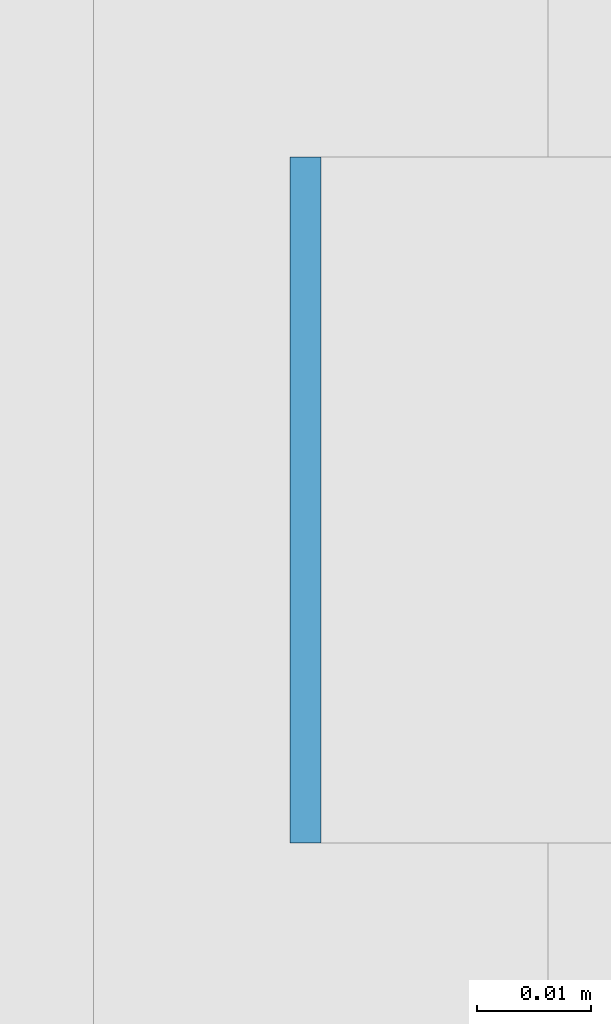
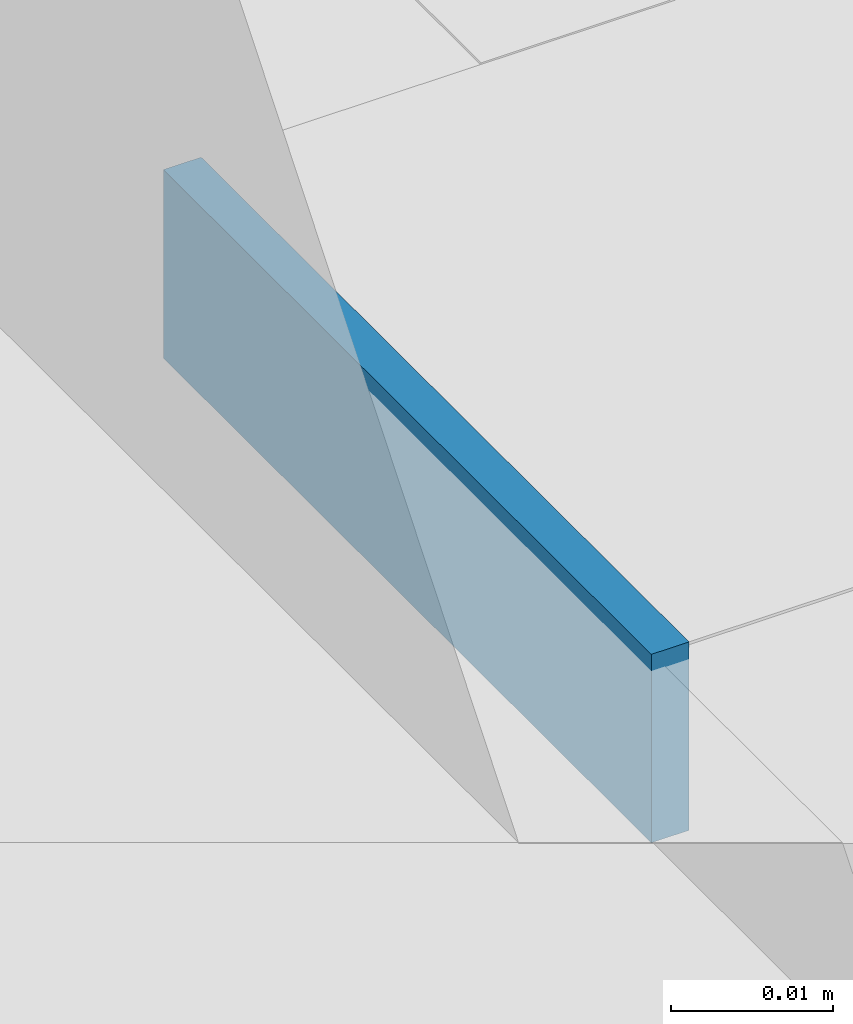
# One storey, part 471 of 646: 1 discrete accessory.
"""IFC4 building model written with IfcOpenShell, lengths in metres."""

import ifcopenshell
import ifcopenshell.guid

model = None  # the IFC model being written
_history = None  # IfcOwnerHistory: only IFC2X3 demands one
_inside = {}  # id of a spatial element -> (the spatial element, [elements in it])
_under = {}  # id of a project, library or spatial element -> (it, [spatial elements below it])
_declared = {}  # id of a project -> (the project, [libraries it declares])
_typed = {}  # id of a type object -> (the type object, [elements of that type])
_made_of = {}  # id of a material, layer set ... -> (it, [elements and type objects made of it])


def new_model(schema):
    """Start an empty IFC model of exactly this schema.

    Asked for "IFC4X3", IfcOpenShell would pick the latest addendum, in which some entities
    have other attributes; the version numbers below select the first issue.
    IFC2X3 requires an IfcOwnerHistory on every rooted entity: one is made here for all.
    """
    global model, _history
    if schema == "IFC4X3":
        model = ifcopenshell.file(schema_version=(4, 3, 0, 0))
    else:
        model = ifcopenshell.file(schema=schema)
    _inside.clear()
    _under.clear()
    _declared.clear()
    _typed.clear()
    _made_of.clear()
    _history = None
    if model.schema == "IFC2X3":
        org = make("IfcOrganization", Name="unknown")
        user = make(
            "IfcPersonAndOrganization",
            ThePerson=make("IfcPerson", FamilyName="unknown"),
            TheOrganization=org,
        )
        app = make(
            "IfcApplication",
            ApplicationDeveloper=org,
            Version="unknown",
            ApplicationFullName="unknown",
            ApplicationIdentifier="unknown",
        )
        _history = make(
            "IfcOwnerHistory",
            OwningUser=user,
            OwningApplication=app,
            ChangeAction="ADDED",
            CreationDate=0,
        )
    return model


def make(cls, **values):
    """One entity of the class cls with the attributes given. An attribute that is None is left unset."""
    return model.create_entity(
        cls, **{name: value for name, value in values.items() if value is not None}
    )


def rooted(cls, **values):
    """An entity with a GlobalId (a new one), such as an element, a storey or a relation."""
    return make(cls, GlobalId=ifcopenshell.guid.new(), OwnerHistory=_history, **values)


def si_unit(unit_type, name, prefix=None):
    """IfcSIUnit, for example si_unit("LENGTHUNIT", "METRE", prefix="MILLI")."""
    return make("IfcSIUnit", UnitType=unit_type, Prefix=prefix, Name=name)


def assignment(units):
    """IfcUnitAssignment: the units of a project."""
    return None if units is None else make("IfcUnitAssignment", Units=units)


def point(xyz):
    """IfcCartesianPoint."""
    return None if xyz is None else make("IfcCartesianPoint", Coordinates=xyz)


def direction(xyz):
    """IfcDirection."""
    return None if xyz is None else make("IfcDirection", DirectionRatios=xyz)


def frame(location, z_axis=None, x_axis=None):
    """IfcAxis2Placement3D, a coordinate frame: its origin and axes. An axis left out is left unset."""
    return make(
        "IfcAxis2Placement3D",
        Location=point(location),
        Axis=direction(z_axis),
        RefDirection=direction(x_axis),
    )


def frame_2d(location, x_axis=None):
    """IfcAxis2Placement2D, a coordinate frame in the plane: its origin and x axis."""
    return make(
        "IfcAxis2Placement2D", Location=point(location), RefDirection=direction(x_axis)
    )


def origin():
    """The frame at (0, 0, 0) with its axes left unset."""
    return frame((0.0, 0.0, 0.0))


def origin_2d():
    """The frame at (0, 0) in the plane with its x axis left unset."""
    return frame_2d((0.0, 0.0))


def place(relative_to, where):
    """IfcLocalPlacement: puts the frame where relative to a parent placement (None: the world)."""
    return make(
        "IfcLocalPlacement", PlacementRelTo=relative_to, RelativePlacement=where
    )


def context(
    kind, dimensions, precision=None, world=None, true_north=None, identifier=None
):
    """IfcGeometricRepresentationContext, for example the 3D "Model" context."""
    return make(
        "IfcGeometricRepresentationContext",
        ContextIdentifier=identifier,
        ContextType=kind,
        CoordinateSpaceDimension=dimensions,
        Precision=precision,
        WorldCoordinateSystem=world,
        TrueNorth=true_north,
    )


def subcontext(parent, identifier, kind, view, scale=None):
    """IfcGeometricRepresentationSubContext, for example "Body" below "Model"."""
    return make(
        "IfcGeometricRepresentationSubContext",
        ContextIdentifier=identifier,
        ContextType=kind,
        ParentContext=parent,
        TargetScale=scale,
        TargetView=view,
    )


def project(units=None, contexts=None):
    """IfcProject with its units and contexts."""
    return rooted(
        "IfcProject",
        Name="project",
        RepresentationContexts=contexts,
        UnitsInContext=assignment(units),
    )


def spatial(cls, under=None, at=None, **own):
    """A site, building, storey or space (cls), placed at a placement, below another one or the project."""
    s = rooted(cls, ObjectPlacement=at, **own)
    if under is not None:
        _under.setdefault(under.id(), (under, []))[1].append(s)
    return s


def profile(cls, at=None, kind="AREA", **sizes):
    """A parametric profile (cls). Its sizes go by their IFC names, for example OverallWidth=200.0."""
    return make(cls, ProfileType=kind, Position=at, **sizes)


def rectangle(**sizes):
    """IfcRectangleProfileDef."""
    return profile("IfcRectangleProfileDef", **sizes)


def extrude(swept, where, along, depth):
    """IfcExtrudedAreaSolid: the profile swept, set in the frame where, extruded along a direction by depth."""
    return make(
        "IfcExtrudedAreaSolid",
        SweptArea=swept,
        Position=where,
        ExtrudedDirection=direction(along),
        Depth=depth,
    )


def shape(context_of_items, identifier, shape_type, items):
    """IfcShapeRepresentation: the items that make up one representation, for example the "Body"."""
    return make(
        "IfcShapeRepresentation",
        ContextOfItems=context_of_items,
        RepresentationIdentifier=identifier,
        RepresentationType=shape_type,
        Items=items,
    )


def material(Name=None, Category=None):
    """IfcMaterial."""
    return make("IfcMaterial", Name=Name, Category=Category)


def made_of(thing, what):
    """Note that an element or type object is made of a material, layer set ...; save() writes the relation."""
    if what is not None:
        _made_of.setdefault(what.id(), (what, []))[1].append(thing)
    return thing


def type_object(cls, material=None, **own):
    """A type object (cls), such as IfcWallType, which elements share."""
    return made_of(rooted(cls, **own), material)


def element(
    cls,
    number,
    at=None,
    inside=None,
    cuts=None,
    type_object=None,
    material=None,
    context=None,
    identifier="Body",
    shape_type=None,
    held_by="IfcProductDefinitionShape",
    body=None,
    shapes=None,
    **own,
):
    """One element of the class cls, such as IfcWall. Its Tag is "e" and its number.

    at: its placement. inside: the storey or other place that contains it. cuts: it is an
    opening in that element (IfcRelVoidsElement). A single representation is given by context,
    identifier, shape_type and body (its items); several are given by shapes. held_by: the class
    of the entity that holds the representations. save() writes the other relations.
    """
    e = rooted(cls, Tag="e%d" % number, ObjectPlacement=at, **own)
    if body is not None:
        shapes = [shape(context, identifier, shape_type, body)]
    if shapes is not None:
        e.Representation = make(held_by, Representations=shapes)
    if inside is not None:
        _inside.setdefault(inside.id(), (inside, []))[1].append(e)
    if cuts is not None:
        rooted(
            "IfcRelVoidsElement", RelatingBuildingElement=cuts, RelatedOpeningElement=e
        )
    if type_object is not None:
        _typed.setdefault(type_object.id(), (type_object, []))[1].append(e)
    return made_of(e, material)


def aggregate(whole, parts):
    """IfcRelAggregates: a whole, such as a stair, and the parts it consists of."""
    return rooted("IfcRelAggregates", RelatingObject=whole, RelatedObjects=parts)


def save(model, path):
    """Write the relations noted so far, then the file.

    IfcRelAggregates (storeys below a building ...), IfcRelContainedInSpatialStructure (elements
    in a storey), IfcRelDefinesByType, IfcRelAssociatesMaterial and IfcRelDeclares: one each for
    every whole, place, type object, material and project.
    """
    for whole, parts in _under.values():
        aggregate(whole, parts)
    for where, things in _inside.values():
        rooted(
            "IfcRelContainedInSpatialStructure",
            RelatedElements=things,
            RelatingStructure=where,
        )
    for kind, things in _typed.values():
        rooted("IfcRelDefinesByType", RelatedObjects=things, RelatingType=kind)
    for what, things in _made_of.values():
        rooted("IfcRelAssociatesMaterial", RelatedObjects=things, RelatingMaterial=what)
    for by, libraries in _declared.values():
        rooted("IfcRelDeclares", RelatingContext=by, RelatedDefinitions=libraries)
    model.write(path)


model = new_model("IFC4")

# Units and contexts
model_context = context("Model", 3, precision=1e-05, world=origin(), true_north=direction((0.0, 1.0)))
body_context = subcontext(model_context, "Body", "Model", "MODEL_VIEW")
ifc_project = project(units=[si_unit("LENGTHUNIT", "METRE"), si_unit("AREAUNIT", "SQUARE_METRE"), si_unit("VOLUMEUNIT", "CUBIC_METRE"), si_unit("PLANEANGLEUNIT", "RADIAN"), si_unit("MASSUNIT", "GRAM", prefix="KILO")], contexts=[model_context])

# Site, building, storey
site_placement = place(None, origin())
site = spatial("IfcSite", under=ifc_project, at=site_placement, CompositionType="ELEMENT")
building_placement = place(site_placement, origin())
building = spatial("IfcBuilding", under=site, at=building_placement, Name="Silverbay Arena", CompositionType="ELEMENT")
storey_placement = place(building_placement, frame((0.0, 0.0, 33.5)))
storey = spatial("IfcBuildingStorey", under=building, at=storey_placement, Name="L05", CompositionType="ELEMENT", Elevation=33.5)

# Discrete accessory
ifc_material = material(Name="Steel S355", Category="steel")
discrete_accessory_type = type_object("IfcDiscreteAccessoryType", Name="Steel bracket plate", PredefinedType="BRACKET", material=ifc_material)
discrete_accessory_placement = place(storey_placement, frame((207.128662109375, 51.428466796875, 12.98583984375), z_axis=(0.0, 0.0, 1.0), x_axis=(1.0, 0.0, 0.0)))
element("IfcDiscreteAccessory", 1, at=discrete_accessory_placement, inside=storey, type_object=discrete_accessory_type, Name="Curtain wall packing plate", PredefinedType="BRACKET", context=body_context, shape_type="SweptSolid", body=[
    extrude(rectangle(XDim=0.002685546875, YDim=0.06005859375, at=origin_2d()), origin(), (0.0, 0.0, 1.0), 0.01416015625),
])

save(model, "model.ifc")
